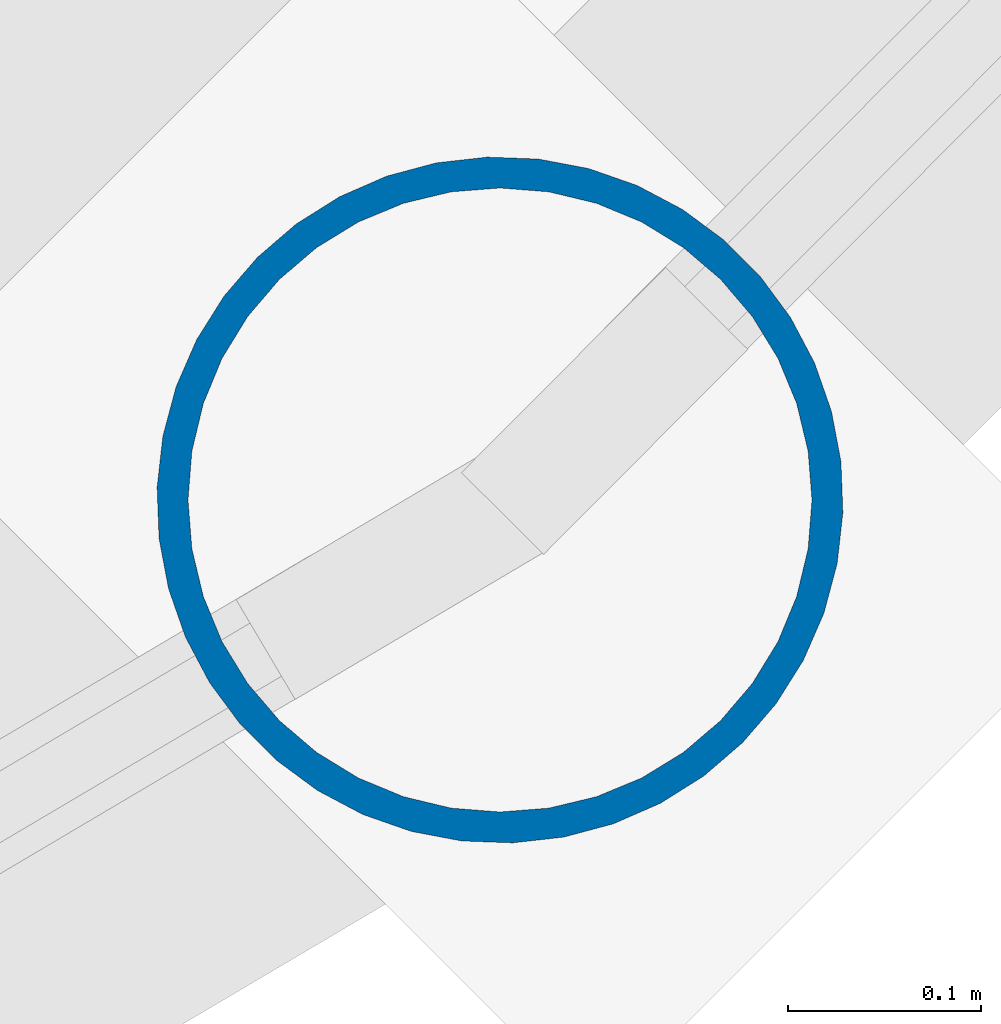
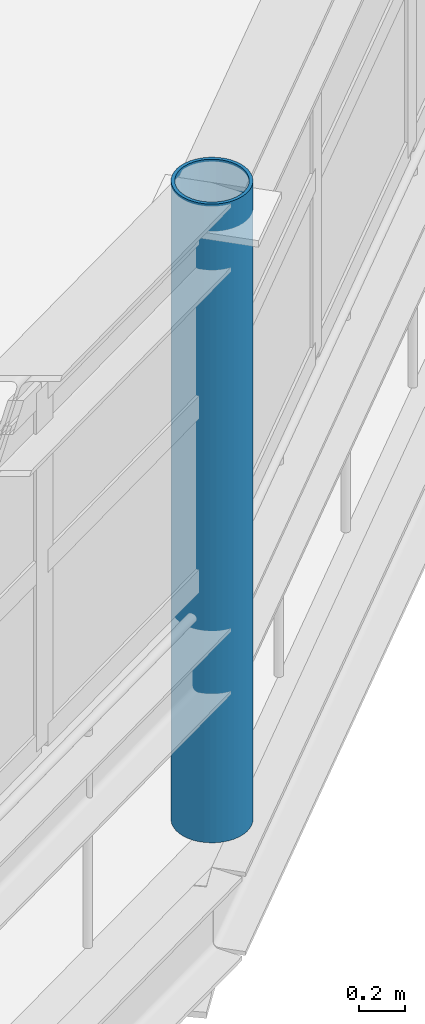
# One storey, part 17 of 123: 1 column.
"""IFC4 building model written with IfcOpenShell, lengths in metres."""

from ifc_helpers import new_model, si_unit, direction, frame, origin, origin_2d, place, context, subcontext, project, spatial, hollow_circle, extrude, material, material_profile, profile_set, type_object, element, save


model = new_model("IFC4")

# Units and contexts
model_context = context("Model", 3, precision=1e-05, world=origin(), true_north=direction((0.0, 1.0)))
body_context = subcontext(model_context, "Body", "Model", "MODEL_VIEW")
ifc_project = project(units=[si_unit("LENGTHUNIT", "METRE"), si_unit("AREAUNIT", "SQUARE_METRE"), si_unit("VOLUMEUNIT", "CUBIC_METRE"), si_unit("PLANEANGLEUNIT", "RADIAN"), si_unit("MASSUNIT", "GRAM", prefix="KILO")], contexts=[model_context])

# Site, building, storey
site_placement = place(None, origin())
site = spatial("IfcSite", under=ifc_project, at=site_placement, CompositionType="ELEMENT")
building_placement = place(site_placement, origin())
building = spatial("IfcBuilding", under=site, at=building_placement, Name="Kildeholm Park Wholesale Market", CompositionType="ELEMENT")
storey_placement = place(building_placement, frame((0.0, 0.0, 9.60009765625)))
storey = spatial("IfcBuildingStorey", under=building, at=storey_placement, Name="L02", CompositionType="ELEMENT", Elevation=9.60009765625)

# Column
ifc_material = material(Name="Steel S355", Category="steel")
ifc_material_profile = material_profile(ifc_material, hollow_circle(Radius=0.177734375, WallThickness=0.01611328125, at=origin_2d()), Name="CHS 355.6x16")
ifc_profile_set = profile_set([ifc_material_profile], Name="Steel S355")
column_type = type_object("IfcColumnType", Name="Column C-S10 CHS 355.6x16", PredefinedType="COLUMN", material=ifc_profile_set)
column_placement = place(storey_placement, frame((134.4970703125, 62.135009765625, 0.0), z_axis=(0.0, 0.0, 1.0), x_axis=(0.707106781187, -0.707106781187, 0.0)))
element("IfcColumn", 1, at=column_placement, inside=storey, type_object=column_type, Name="Column V1-MD-21 L02 COL-0195", PredefinedType="COLUMN", context=body_context, shape_type="SweptSolid", body=[
    extrude(hollow_circle(Radius=0.177734375, WallThickness=0.01611328125, at=origin_2d()), origin(), (0.0, 0.0, 1.0), 3.3798828125),
])

save(model, "model.ifc")
